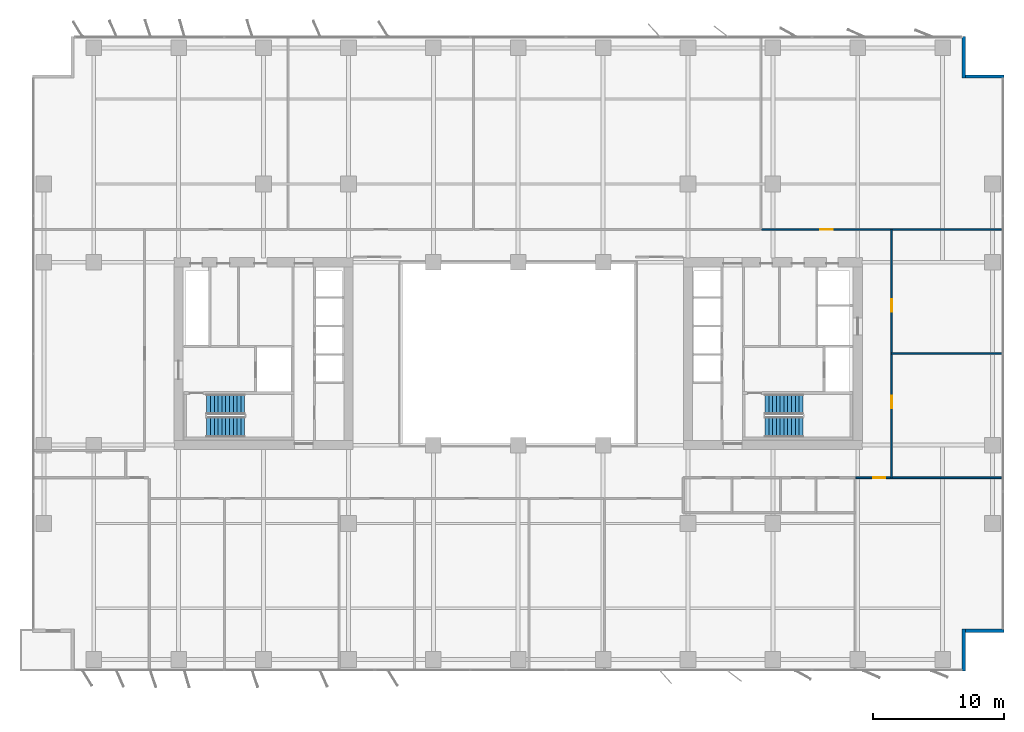
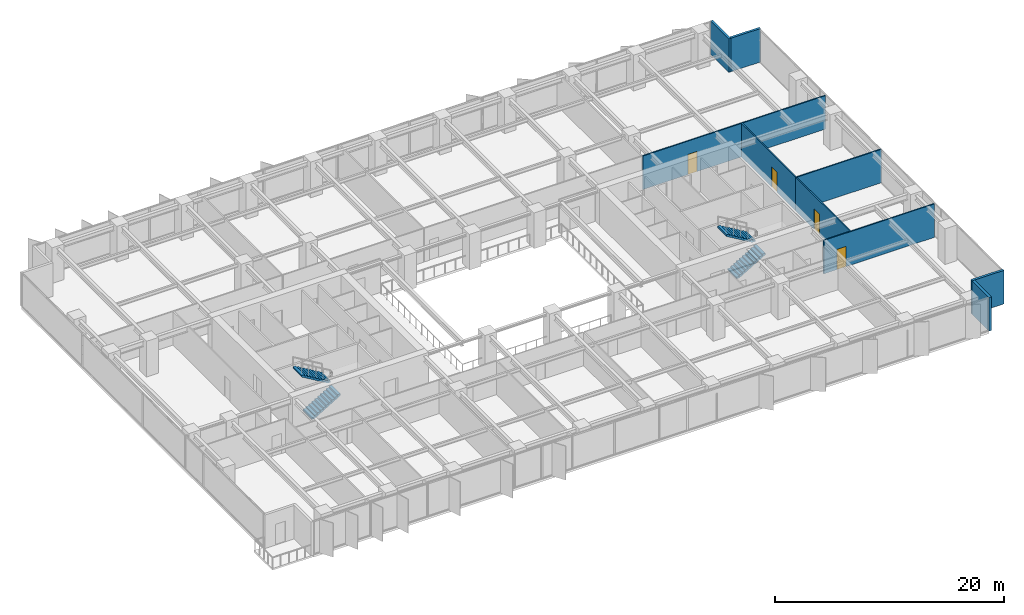
# One storey, part 16 of 20: 9 walls, 4 doors, 4 stair flights, 4 openings, 2 elements without a shape of their own.
"""IFC4 building model written with IfcOpenShell, lengths in metres."""

import ifcopenshell
import ifcopenshell.guid

model = None  # the IFC model being written
_history = None  # IfcOwnerHistory: only IFC2X3 demands one
_inside = {}  # id of a spatial element -> (the spatial element, [elements in it])
_under = {}  # id of a project, library or spatial element -> (it, [spatial elements below it])
_declared = {}  # id of a project -> (the project, [libraries it declares])
_typed = {}  # id of a type object -> (the type object, [elements of that type])
_made_of = {}  # id of a material, layer set ... -> (it, [elements and type objects made of it])


def new_model(schema):
    """Start an empty IFC model of exactly this schema.

    Asked for "IFC4X3", IfcOpenShell would pick the latest addendum, in which some entities
    have other attributes; the version numbers below select the first issue.
    IFC2X3 requires an IfcOwnerHistory on every rooted entity: one is made here for all.
    """
    global model, _history
    if schema == "IFC4X3":
        model = ifcopenshell.file(schema_version=(4, 3, 0, 0))
    else:
        model = ifcopenshell.file(schema=schema)
    _inside.clear()
    _under.clear()
    _declared.clear()
    _typed.clear()
    _made_of.clear()
    _history = None
    if model.schema == "IFC2X3":
        org = make("IfcOrganization", Name="unknown")
        user = make(
            "IfcPersonAndOrganization",
            ThePerson=make("IfcPerson", FamilyName="unknown"),
            TheOrganization=org,
        )
        app = make(
            "IfcApplication",
            ApplicationDeveloper=org,
            Version="unknown",
            ApplicationFullName="unknown",
            ApplicationIdentifier="unknown",
        )
        _history = make(
            "IfcOwnerHistory",
            OwningUser=user,
            OwningApplication=app,
            ChangeAction="ADDED",
            CreationDate=0,
        )
    return model


def make(cls, **values):
    """One entity of the class cls with the attributes given. An attribute that is None is left unset."""
    return model.create_entity(
        cls, **{name: value for name, value in values.items() if value is not None}
    )


def rooted(cls, **values):
    """An entity with a GlobalId (a new one), such as an element, a storey or a relation."""
    return make(cls, GlobalId=ifcopenshell.guid.new(), OwnerHistory=_history, **values)


def si_unit(unit_type, name, prefix=None):
    """IfcSIUnit, for example si_unit("LENGTHUNIT", "METRE", prefix="MILLI")."""
    return make("IfcSIUnit", UnitType=unit_type, Prefix=prefix, Name=name)


def assignment(units):
    """IfcUnitAssignment: the units of a project."""
    return None if units is None else make("IfcUnitAssignment", Units=units)


def point(xyz):
    """IfcCartesianPoint."""
    return None if xyz is None else make("IfcCartesianPoint", Coordinates=xyz)


def direction(xyz):
    """IfcDirection."""
    return None if xyz is None else make("IfcDirection", DirectionRatios=xyz)


def frame(location, z_axis=None, x_axis=None):
    """IfcAxis2Placement3D, a coordinate frame: its origin and axes. An axis left out is left unset."""
    return make(
        "IfcAxis2Placement3D",
        Location=point(location),
        Axis=direction(z_axis),
        RefDirection=direction(x_axis),
    )


def frame_2d(location, x_axis=None):
    """IfcAxis2Placement2D, a coordinate frame in the plane: its origin and x axis."""
    return make(
        "IfcAxis2Placement2D", Location=point(location), RefDirection=direction(x_axis)
    )


def origin():
    """The frame at (0, 0, 0) with its axes left unset."""
    return frame((0.0, 0.0, 0.0))


def place(relative_to, where):
    """IfcLocalPlacement: puts the frame where relative to a parent placement (None: the world)."""
    return make(
        "IfcLocalPlacement", PlacementRelTo=relative_to, RelativePlacement=where
    )


def context(
    kind, dimensions, precision=None, world=None, true_north=None, identifier=None
):
    """IfcGeometricRepresentationContext, for example the 3D "Model" context."""
    return make(
        "IfcGeometricRepresentationContext",
        ContextIdentifier=identifier,
        ContextType=kind,
        CoordinateSpaceDimension=dimensions,
        Precision=precision,
        WorldCoordinateSystem=world,
        TrueNorth=true_north,
    )


def subcontext(parent, identifier, kind, view, scale=None):
    """IfcGeometricRepresentationSubContext, for example "Body" below "Model"."""
    return make(
        "IfcGeometricRepresentationSubContext",
        ContextIdentifier=identifier,
        ContextType=kind,
        ParentContext=parent,
        TargetScale=scale,
        TargetView=view,
    )


def project(units=None, contexts=None):
    """IfcProject with its units and contexts."""
    return rooted(
        "IfcProject",
        Name="project",
        RepresentationContexts=contexts,
        UnitsInContext=assignment(units),
    )


def spatial(cls, under=None, at=None, **own):
    """A site, building, storey or space (cls), placed at a placement, below another one or the project."""
    s = rooted(cls, ObjectPlacement=at, **own)
    if under is not None:
        _under.setdefault(under.id(), (under, []))[1].append(s)
    return s


def polyline(points):
    """IfcPolyline through the points."""
    return make("IfcPolyline", Points=[point(p) for p in points])


def profile(cls, at=None, kind="AREA", **sizes):
    """A parametric profile (cls). Its sizes go by their IFC names, for example OverallWidth=200.0."""
    return make(cls, ProfileType=kind, Position=at, **sizes)


def rectangle(**sizes):
    """IfcRectangleProfileDef."""
    return profile("IfcRectangleProfileDef", **sizes)


def outline(outer, holes=None, kind="AREA"):
    """IfcArbitraryClosedProfileDef: a profile drawn as a closed curve; with holes, ...WithVoids."""
    if holes is None:
        return make("IfcArbitraryClosedProfileDef", ProfileType=kind, OuterCurve=outer)
    return make(
        "IfcArbitraryProfileDefWithVoids",
        ProfileType=kind,
        OuterCurve=outer,
        InnerCurves=holes,
    )


def extrude(swept, where, along, depth):
    """IfcExtrudedAreaSolid: the profile swept, set in the frame where, extruded along a direction by depth."""
    return make(
        "IfcExtrudedAreaSolid",
        SweptArea=swept,
        Position=where,
        ExtrudedDirection=direction(along),
        Depth=depth,
    )


def shape(context_of_items, identifier, shape_type, items):
    """IfcShapeRepresentation: the items that make up one representation, for example the "Body"."""
    return make(
        "IfcShapeRepresentation",
        ContextOfItems=context_of_items,
        RepresentationIdentifier=identifier,
        RepresentationType=shape_type,
        Items=items,
    )


def material(Name=None, Category=None):
    """IfcMaterial."""
    return make("IfcMaterial", Name=Name, Category=Category)


def layer(
    of_material, thickness, ventilated=None, Name=None, Category=None, Priority=None
):
    """IfcMaterialLayer: one layer of a wall or slab, of a material (None: an air gap)."""
    return make(
        "IfcMaterialLayer",
        Material=of_material,
        LayerThickness=thickness,
        IsVentilated=ventilated,
        Name=Name,
        Category=Category,
        Priority=Priority,
    )


def layer_set(layers, Name=None):
    """IfcMaterialLayerSet."""
    return make("IfcMaterialLayerSet", MaterialLayers=layers, LayerSetName=Name)


def made_of(thing, what):
    """Note that an element or type object is made of a material, layer set ...; save() writes the relation."""
    if what is not None:
        _made_of.setdefault(what.id(), (what, []))[1].append(thing)
    return thing


def type_object(cls, material=None, **own):
    """A type object (cls), such as IfcWallType, which elements share."""
    return made_of(rooted(cls, **own), material)


def element(
    cls,
    number,
    at=None,
    inside=None,
    cuts=None,
    type_object=None,
    material=None,
    context=None,
    identifier="Body",
    shape_type=None,
    held_by="IfcProductDefinitionShape",
    body=None,
    shapes=None,
    **own,
):
    """One element of the class cls, such as IfcWall. Its Tag is "e" and its number.

    at: its placement. inside: the storey or other place that contains it. cuts: it is an
    opening in that element (IfcRelVoidsElement). A single representation is given by context,
    identifier, shape_type and body (its items); several are given by shapes. held_by: the class
    of the entity that holds the representations. save() writes the other relations.
    """
    e = rooted(cls, Tag="e%d" % number, ObjectPlacement=at, **own)
    if body is not None:
        shapes = [shape(context, identifier, shape_type, body)]
    if shapes is not None:
        e.Representation = make(held_by, Representations=shapes)
    if inside is not None:
        _inside.setdefault(inside.id(), (inside, []))[1].append(e)
    if cuts is not None:
        rooted(
            "IfcRelVoidsElement", RelatingBuildingElement=cuts, RelatedOpeningElement=e
        )
    if type_object is not None:
        _typed.setdefault(type_object.id(), (type_object, []))[1].append(e)
    return made_of(e, material)


def fill(opening, filler):
    """IfcRelFillsElement: the door or window that sits in an opening."""
    return rooted(
        "IfcRelFillsElement",
        RelatingOpeningElement=opening,
        RelatedBuildingElement=filler,
    )


def aggregate(whole, parts):
    """IfcRelAggregates: a whole, such as a stair, and the parts it consists of."""
    return rooted("IfcRelAggregates", RelatingObject=whole, RelatedObjects=parts)


def save(model, path):
    """Write the relations noted so far, then the file.

    IfcRelAggregates (storeys below a building ...), IfcRelContainedInSpatialStructure (elements
    in a storey), IfcRelDefinesByType, IfcRelAssociatesMaterial and IfcRelDeclares: one each for
    every whole, place, type object, material and project.
    """
    for whole, parts in _under.values():
        aggregate(whole, parts)
    for where, things in _inside.values():
        rooted(
            "IfcRelContainedInSpatialStructure",
            RelatedElements=things,
            RelatingStructure=where,
        )
    for kind, things in _typed.values():
        rooted("IfcRelDefinesByType", RelatedObjects=things, RelatingType=kind)
    for what, things in _made_of.values():
        rooted("IfcRelAssociatesMaterial", RelatedObjects=things, RelatingMaterial=what)
    for by, libraries in _declared.values():
        rooted("IfcRelDeclares", RelatingContext=by, RelatedDefinitions=libraries)
    model.write(path)


model = new_model("IFC4")

# Units and contexts
model_context = context("Model", 3, precision=1e-05, world=origin(), true_north=direction((0.0, 1.0)))
body_context = subcontext(model_context, "Body", "Model", "MODEL_VIEW")
ifc_project = project(units=[si_unit("LENGTHUNIT", "METRE"), si_unit("AREAUNIT", "SQUARE_METRE"), si_unit("VOLUMEUNIT", "CUBIC_METRE"), si_unit("PLANEANGLEUNIT", "RADIAN"), si_unit("MASSUNIT", "GRAM", prefix="KILO")], contexts=[model_context])

# Site, building, storey
site_placement = place(None, origin())
site = spatial("IfcSite", under=ifc_project, at=site_placement, CompositionType="ELEMENT")
building_placement = place(site_placement, origin())
building = spatial("IfcBuilding", under=site, at=building_placement, Name="Putna Gate Headquarters", CompositionType="ELEMENT")
storey_placement = place(building_placement, frame((0.0, 0.0, 101.199951171875)))
storey = spatial("IfcBuildingStorey", under=building, at=storey_placement, Name="L24", CompositionType="ELEMENT", Elevation=101.199951171875)

# Walls
ifc_material_1 = material(Name="Precast concrete C40/50", Category="concrete")
ifc_layer_1 = layer(ifc_material_1, 0.239990234375)
ifc_layer_set_1 = layer_set([ifc_layer_1], Name="Precast concrete C40/50")
wall_type_1 = type_object("IfcWallType", Name="WALL-EXT-TERR-240", PredefinedType="STANDARD", material=ifc_layer_set_1)
for number, where, z_axis, x_axis, name in (
    (1, (73.1201171875, 50.300048828125, 0.0), (0.0, 0.0, 1.0), (0.0, -1.0, 0.0), "L24 Corner Notch Return Wall NE-V"),
    (2, (73.0, 47.219970703125, 0.0), (0.0, 0.0, 1.0), (1.0, 0.0, 0.0), "L24 Corner Notch Return Wall NE-H"),
    (3, (73.1201171875, 4.89990234375, 0.0), (0.0, 0.0, 1.0), (0.0, -1.0, 0.0), "L24 Corner Notch Return Wall SE-V"),
    (4, (76.199951171875, 4.780029296875, 0.0), (0.0, 0.0, 1.0), (-1.0, 0.0, 0.0), "L24 Corner Notch Return Wall SE-H"),
):
    element("IfcWall", number, at=place(storey_placement, frame(where, z_axis=z_axis, x_axis=x_axis)), inside=storey, type_object=wall_type_1, Name=name, PredefinedType="STANDARD", context=body_context, shape_type="SweptSolid", body=[
        extrude(rectangle(XDim=3.199951171875, YDim=0.239990234375, at=frame_2d((1.60009765625, 0.0))), origin(), (0.0, 0.0, 1.0), 3.56494140625),
    ])
ifc_material_2 = material(Name="Acoustic gypsum board on metal stud")
ifc_layer_2 = layer(ifc_material_2, 0.1201171875)
ifc_layer_set_2 = layer_set([ifc_layer_2], Name="Acoustic gypsum board on metal stud")
wall_type_2 = type_object("IfcWallType", Name="WALL-PART-120", PredefinedType="PARTITIONING", material=ifc_layer_set_2)
wall_1_placement = place(storey_placement, frame((67.60009765625, 26.0, 0.0), z_axis=(0.0, 0.0, 1.0), x_axis=(1.0, 0.0, 0.0)))
element("IfcWall", 5, at=wall_1_placement, inside=storey, type_object=wall_type_2, Name="L24 Interior Wall PART-L24-EW-DIV-1", PredefinedType="PARTITIONING", context=body_context, shape_type="SweptSolid", body=[
    extrude(rectangle(XDim=8.579833984375, YDim=0.1201171875, at=frame_2d((4.2900390625, 0.0))), origin(), (0.0, 0.0, 1.0), 3.56494140625),
])

# Wall, opening, door
ifc_material_3 = material(Name="Fire-rated gypsum board on metal stud")
ifc_layer_3 = layer(ifc_material_3, 0.1201171875)
ifc_layer_set_3 = layer_set([ifc_layer_3], Name="Fire-rated gypsum board on metal stud")
wall_type_3 = type_object("IfcWallType", Name="WALL-PART-120-RATED", PredefinedType="PARTITIONING", material=ifc_layer_set_3)
wall_2_placement = place(storey_placement, frame((57.63671875, 35.5, 0.0), z_axis=(0.0, 0.0, 1.0), x_axis=(1.0, 0.0, 0.0)))
wall_2 = element("IfcWall", 6, at=wall_2_placement, inside=storey, type_object=wall_type_3, Name="L24 Interior Wall PART-L24-NB-CW-04", PredefinedType="PARTITIONING", context=body_context, shape_type="SweptSolid", body=[
    extrude(rectangle(XDim=18.38330078125, YDim=0.1201171875, at=frame_2d((9.191650390625, 0.0))), origin(), (0.0, 0.0, 1.0), 3.56494140625),
])
opening_1_placement = place(wall_2_placement, frame((4.506591796875, 0.0, 0.0)))
opening_1 = element("IfcOpeningElement", 7, at=opening_1_placement, cuts=wall_2, Name="Opening FD-95", PredefinedType="OPENING", context=body_context, shape_type="SweptSolid", body=[
    extrude(rectangle(XDim=0.949951171875, YDim=2.14990234375, at=frame_2d((0.47509765625, 1.074951171875))), frame((0.0, 0.070068359375, 0.0), z_axis=(0.0, -1.0, 0.0), x_axis=(1.0, 0.0, 0.0)), (0.0, 0.0, 1.0), 0.14013671875),
])
ifc_material_4 = material(Name="Acoustic timber fire door", Category="wood")
door_type = type_object("IfcDoorType", Name="DOOR-FIRE-950", OperationType="NOTDEFINED", PredefinedType="DOOR", material=ifc_material_4)
door_1_placement = place(opening_1_placement, origin())
door_1 = element("IfcDoor", 8, at=door_1_placement, inside=storey, type_object=door_type, Name="L24 Quiet Wellness Focus Studio 1 Door", OperationType="SINGLE_SWING_RIGHT", OverallHeight=2.14990234375, OverallWidth=0.949951171875, PredefinedType="DOOR", context=body_context, shape_type="SweptSolid", body=[
    extrude(rectangle(XDim=0.949951171875, YDim=2.14990234375, at=frame_2d((0.47509765625, 1.074951171875))), frame((0.0, 0.02490234375, 0.0), z_axis=(0.0, -1.0, 0.0), x_axis=(1.0, 0.0, 0.0)), (0.0, 0.0, 1.0), 0.050048828125),
])
fill(opening_1, door_1)

wall_3_placement = place(storey_placement, frame((64.860107421875, 16.5, 0.0), z_axis=(0.0, 0.0, 1.0), x_axis=(1.0, 0.0, 0.0)))
wall_3 = element("IfcWall", 9, at=wall_3_placement, inside=storey, type_object=wall_type_3, Name="L24 Interior Wall PART-L24-SB-CW-08", PredefinedType="PARTITIONING", context=body_context, shape_type="SweptSolid", body=[
    extrude(rectangle(XDim=11.159912109375, YDim=0.1201171875, at=frame_2d((5.580078125, 0.0))), origin(), (0.0, 0.0, 1.0), 3.56494140625),
])
opening_2_placement = place(wall_3_placement, frame((1.31005859375, 0.0, 0.0)))
opening_2 = element("IfcOpeningElement", 10, at=opening_2_placement, cuts=wall_3, Name="Opening FD-95", PredefinedType="OPENING", context=body_context, shape_type="SweptSolid", body=[
    extrude(rectangle(XDim=0.949951171875, YDim=2.14990234375, at=frame_2d((0.47509765625, 1.074951171875))), frame((0.0, 0.070068359375, 0.0), z_axis=(0.0, -1.0, 0.0), x_axis=(1.0, 0.0, 0.0)), (0.0, 0.0, 1.0), 0.14013671875),
])
door_2_placement = place(opening_2_placement, origin())
door_2 = element("IfcDoor", 11, at=door_2_placement, inside=storey, type_object=door_type, Name="L24 Quiet Wellness Focus Studio 3 Door", OperationType="SINGLE_SWING_RIGHT", OverallHeight=2.14990234375, OverallWidth=0.949951171875, PredefinedType="DOOR", context=body_context, shape_type="SweptSolid", body=[
    extrude(rectangle(XDim=0.949951171875, YDim=2.14990234375, at=frame_2d((0.47509765625, 1.074951171875))), frame((0.0, 0.02490234375, 0.0), z_axis=(0.0, -1.0, 0.0), x_axis=(1.0, 0.0, 0.0)), (0.0, 0.0, 1.0), 0.050048828125),
])
fill(opening_2, door_2)

wall_4_placement = place(storey_placement, frame((67.60009765625, 16.5, 0.0), z_axis=(0.0, 0.0, 1.0), x_axis=(0.0, 1.0, 0.0)))
wall_4 = element("IfcWall", 12, at=wall_4_placement, inside=storey, type_object=wall_type_3, Name="L24 Interior Wall PART-L24-EW-CW-1", PredefinedType="PARTITIONING", context=body_context, shape_type="SweptSolid", body=[
    extrude(rectangle(XDim=9.5, YDim=0.1201171875, at=frame_2d((4.75, 0.0))), origin(), (0.0, 0.0, 1.0), 3.56494140625),
])
opening_3_placement = place(wall_4_placement, frame((5.324951171875, 0.0, 0.0)))
opening_3 = element("IfcOpeningElement", 13, at=opening_3_placement, cuts=wall_4, Name="Opening FD-95", PredefinedType="OPENING", context=body_context, shape_type="SweptSolid", body=[
    extrude(rectangle(XDim=0.949951171875, YDim=2.14990234375, at=frame_2d((0.47509765625, 1.074951171875))), frame((0.0, 0.070068359375, 0.0), z_axis=(0.0, -1.0, 0.0), x_axis=(1.0, 0.0, 0.0)), (0.0, 0.0, 1.0), 0.14013671875),
])
door_3_placement = place(opening_3_placement, origin())
door_3 = element("IfcDoor", 14, at=door_3_placement, inside=storey, type_object=door_type, Name="L24 East Advisory Office 1 Door", OperationType="SINGLE_SWING_RIGHT", OverallHeight=2.14990234375, OverallWidth=0.949951171875, PredefinedType="DOOR", context=body_context, shape_type="SweptSolid", body=[
    extrude(rectangle(XDim=0.949951171875, YDim=2.14990234375, at=frame_2d((0.47509765625, 1.074951171875))), frame((0.0, 0.02490234375, 0.0), z_axis=(0.0, -1.0, 0.0), x_axis=(1.0, 0.0, 0.0)), (0.0, 0.0, 1.0), 0.050048828125),
])
fill(opening_3, door_3)

wall_5_placement = place(storey_placement, frame((67.60009765625, 26.0, 0.0), z_axis=(0.0, 0.0, 1.0), x_axis=(0.0, 1.0, 0.0)))
wall_5 = element("IfcWall", 15, at=wall_5_placement, inside=storey, type_object=wall_type_3, Name="L24 Interior Wall PART-L24-EW-CW-2", PredefinedType="PARTITIONING", context=body_context, shape_type="SweptSolid", body=[
    extrude(rectangle(XDim=9.5, YDim=0.1201171875, at=frame_2d((4.75, 0.0))), origin(), (0.0, 0.0, 1.0), 3.56494140625),
])
opening_4_placement = place(wall_5_placement, frame((3.22509765625, 0.0, 0.0)))
opening_4 = element("IfcOpeningElement", 16, at=opening_4_placement, cuts=wall_5, Name="Opening FD-95", PredefinedType="OPENING", context=body_context, shape_type="SweptSolid", body=[
    extrude(rectangle(XDim=0.949951171875, YDim=2.14990234375, at=frame_2d((0.47509765625, 1.074951171875))), frame((0.0, 0.070068359375, 0.0), z_axis=(0.0, -1.0, 0.0), x_axis=(1.0, 0.0, 0.0)), (0.0, 0.0, 1.0), 0.14013671875),
])
door_4_placement = place(opening_4_placement, origin())
door_4 = element("IfcDoor", 17, at=door_4_placement, inside=storey, type_object=door_type, Name="L24 East Horizon Conference Room 2 Door", OperationType="SINGLE_SWING_LEFT", OverallHeight=2.14990234375, OverallWidth=0.949951171875, PredefinedType="DOOR", context=body_context, shape_type="SweptSolid", body=[
    extrude(rectangle(XDim=0.949951171875, YDim=2.14990234375, at=frame_2d((0.47509765625, 1.074951171875))), frame((0.0, 0.02490234375, 0.0), z_axis=(0.0, -1.0, 0.0), x_axis=(1.0, 0.0, 0.0)), (0.0, 0.0, 1.0), 0.050048828125),
])
fill(opening_4, door_4)

# Stair, stair flights
ifc_material_5 = material(Name="Concrete C40/50", Category="concrete")
stair_type_1 = type_object("IfcStairType", Name="STAIR-ST1", PredefinedType="HALF_TURN_STAIR", material=ifc_material_5)
stair_1_placement = place(storey_placement, origin())
stair_1 = element("IfcStair", 18, at=stair_1_placement, inside=storey, type_object=stair_type_1, Name="L24 West Core Exit Stair ST1", PredefinedType="HALF_TURN_STAIR")
stair_flight_type_1 = type_object("IfcStairFlightType", Name="FLIGHT-ST1", PredefinedType="STRAIGHT", material=ifc_material_5)
stair_flight_1_placement = place(storey_placement, frame((15.14990234375, 20.375, 0.0), z_axis=(0.0, 0.0, 1.0), x_axis=(1.0, 0.0, 0.0)))
stair_flight_1 = element("IfcStairFlight", 19, at=stair_flight_1_placement, type_object=stair_flight_type_1, Name="ST1 flight 1", NumberOfRisers=11, NumberOfTreads=10, PredefinedType="STRAIGHT", RiserHeight=0.172727273, TreadLength=0.29, context=body_context, shape_type="SweptSolid", body=[
    extrude(outline(polyline([(0.0, 0.0), (0.0, 0.172607421875), (0.2900390625, 0.172607421875), (0.2900390625, 0.345458984375), (0.580078125, 0.345458984375), (0.580078125, 0.51806640625), (0.8701171875, 0.51806640625), (0.8701171875, 0.69091796875), (1.159912109375, 0.69091796875), (1.159912109375, 0.863525390625), (1.449951171875, 0.863525390625), (1.449951171875, 1.036376953125), (1.739990234375, 1.036376953125), (1.739990234375, 1.208984375), (2.030029296875, 1.208984375), (2.030029296875, 1.3818359375), (2.320068359375, 1.3818359375), (2.320068359375, 1.554443359375), (2.610107421875, 1.554443359375), (2.610107421875, 1.727294921875), (2.89990234375, 1.727294921875), (2.89990234375, 1.89990234375), (2.89990234375, 1.552734375), (0.29296875, 0.0), (0.0, 0.0)])), frame((0.0, 0.77490234375, 0.0), z_axis=(0.0, -1.0, 0.0), x_axis=(1.0, 0.0, 0.0)), (0.0, 0.0, 1.0), 1.550048828125),
])
stair_flight_2_placement = place(storey_placement, frame((18.050048828125, 22.125, 1.900146484375), z_axis=(0.0, 0.0, 1.0), x_axis=(-1.0, 0.0, 0.0)))
stair_flight_2 = element("IfcStairFlight", 20, at=stair_flight_2_placement, type_object=stair_flight_type_1, Name="ST1 flight 2", NumberOfRisers=11, NumberOfTreads=10, PredefinedType="STRAIGHT", RiserHeight=0.172727273, TreadLength=0.29, context=body_context, shape_type="SweptSolid", body=[
    extrude(outline(polyline([(0.0, 0.0), (0.0, 0.172607421875), (0.2900390625, 0.172607421875), (0.2900390625, 0.345458984375), (0.580078125, 0.345458984375), (0.580078125, 0.51806640625), (0.8701171875, 0.51806640625), (0.8701171875, 0.69091796875), (1.159912109375, 0.69091796875), (1.159912109375, 0.863525390625), (1.449951171875, 0.863525390625), (1.449951171875, 1.036376953125), (1.739990234375, 1.036376953125), (1.739990234375, 1.208984375), (2.030029296875, 1.208984375), (2.030029296875, 1.3818359375), (2.320068359375, 1.3818359375), (2.320068359375, 1.554443359375), (2.610107421875, 1.554443359375), (2.610107421875, 1.727294921875), (2.89990234375, 1.727294921875), (2.89990234375, 1.89990234375), (2.89990234375, 1.552734375), (0.29296875, 0.0), (0.0, 0.0)])), frame((0.0, 0.77490234375, 0.0), z_axis=(0.0, -1.0, 0.0), x_axis=(1.0, 0.0, 0.0)), (0.0, 0.0, 1.0), 1.550048828125),
])
aggregate(stair_1, [stair_flight_1, stair_flight_2])

stair_type_2 = type_object("IfcStairType", Name="STAIR-ST2", PredefinedType="HALF_TURN_STAIR", material=ifc_material_5)
stair_2_placement = place(storey_placement, origin())
stair_2 = element("IfcStair", 21, at=stair_2_placement, inside=storey, type_object=stair_type_2, Name="L24 East Core Exit Stair ST2", PredefinedType="HALF_TURN_STAIR")
stair_flight_type_2 = type_object("IfcStairFlightType", Name="FLIGHT-ST2", PredefinedType="STRAIGHT", material=ifc_material_5)
stair_flight_3_placement = place(storey_placement, frame((57.89990234375, 20.375, 0.0), z_axis=(0.0, 0.0, 1.0), x_axis=(1.0, 0.0, 0.0)))
stair_flight_3 = element("IfcStairFlight", 22, at=stair_flight_3_placement, type_object=stair_flight_type_2, Name="ST2 flight 1", NumberOfRisers=11, NumberOfTreads=10, PredefinedType="STRAIGHT", RiserHeight=0.172727273, TreadLength=0.29, context=body_context, shape_type="SweptSolid", body=[
    extrude(outline(polyline([(0.0, 0.0), (0.0, 0.172607421875), (0.2900390625, 0.172607421875), (0.2900390625, 0.345458984375), (0.580078125, 0.345458984375), (0.580078125, 0.51806640625), (0.8701171875, 0.51806640625), (0.8701171875, 0.69091796875), (1.159912109375, 0.69091796875), (1.159912109375, 0.863525390625), (1.449951171875, 0.863525390625), (1.449951171875, 1.036376953125), (1.739990234375, 1.036376953125), (1.739990234375, 1.208984375), (2.030029296875, 1.208984375), (2.030029296875, 1.3818359375), (2.320068359375, 1.3818359375), (2.320068359375, 1.554443359375), (2.610107421875, 1.554443359375), (2.610107421875, 1.727294921875), (2.89990234375, 1.727294921875), (2.89990234375, 1.89990234375), (2.89990234375, 1.552734375), (0.29296875, 0.0), (0.0, 0.0)])), frame((0.0, 0.77490234375, 0.0), z_axis=(0.0, -1.0, 0.0), x_axis=(1.0, 0.0, 0.0)), (0.0, 0.0, 1.0), 1.550048828125),
])
stair_flight_4_placement = place(storey_placement, frame((60.800048828125, 22.125, 1.900146484375), z_axis=(0.0, 0.0, 1.0), x_axis=(-1.0, 0.0, 0.0)))
stair_flight_4 = element("IfcStairFlight", 23, at=stair_flight_4_placement, type_object=stair_flight_type_2, Name="ST2 flight 2", NumberOfRisers=11, NumberOfTreads=10, PredefinedType="STRAIGHT", RiserHeight=0.172727273, TreadLength=0.29, context=body_context, shape_type="SweptSolid", body=[
    extrude(outline(polyline([(0.0, 0.0), (0.0, 0.172607421875), (0.2900390625, 0.172607421875), (0.2900390625, 0.345458984375), (0.580078125, 0.345458984375), (0.580078125, 0.51806640625), (0.8701171875, 0.51806640625), (0.8701171875, 0.69091796875), (1.159912109375, 0.69091796875), (1.159912109375, 0.863525390625), (1.449951171875, 0.863525390625), (1.449951171875, 1.036376953125), (1.739990234375, 1.036376953125), (1.739990234375, 1.208984375), (2.030029296875, 1.208984375), (2.030029296875, 1.3818359375), (2.320068359375, 1.3818359375), (2.320068359375, 1.554443359375), (2.610107421875, 1.554443359375), (2.610107421875, 1.727294921875), (2.89990234375, 1.727294921875), (2.89990234375, 1.89990234375), (2.89990234375, 1.552734375), (0.29296875, 0.0), (0.0, 0.0)])), frame((0.0, 0.77490234375, 0.0), z_axis=(0.0, -1.0, 0.0), x_axis=(1.0, 0.0, 0.0)), (0.0, 0.0, 1.0), 1.550048828125),
])
aggregate(stair_2, [stair_flight_3, stair_flight_4])

save(model, "model.ifc")
